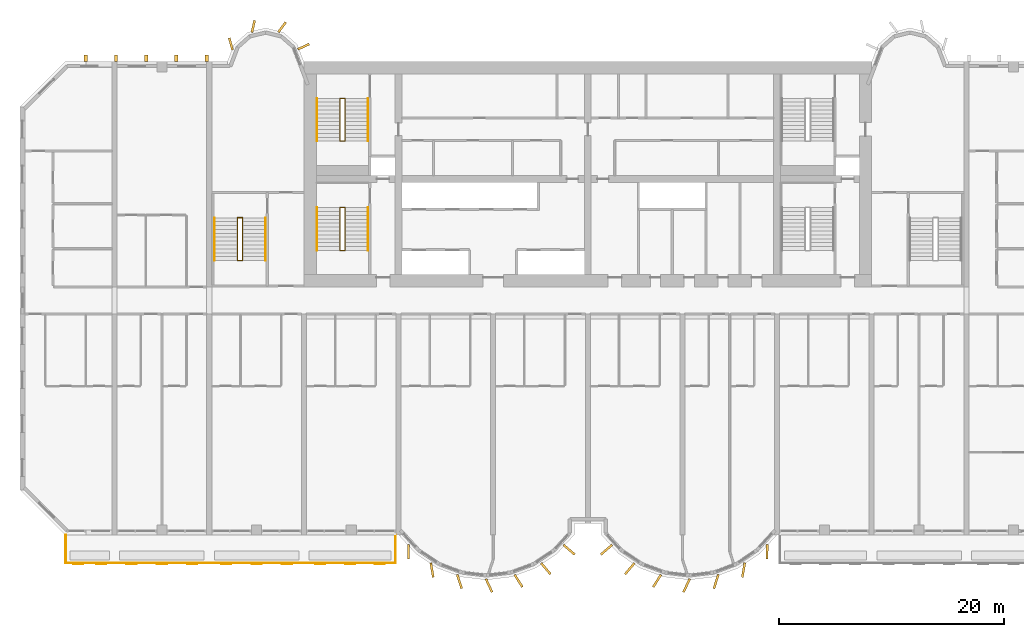
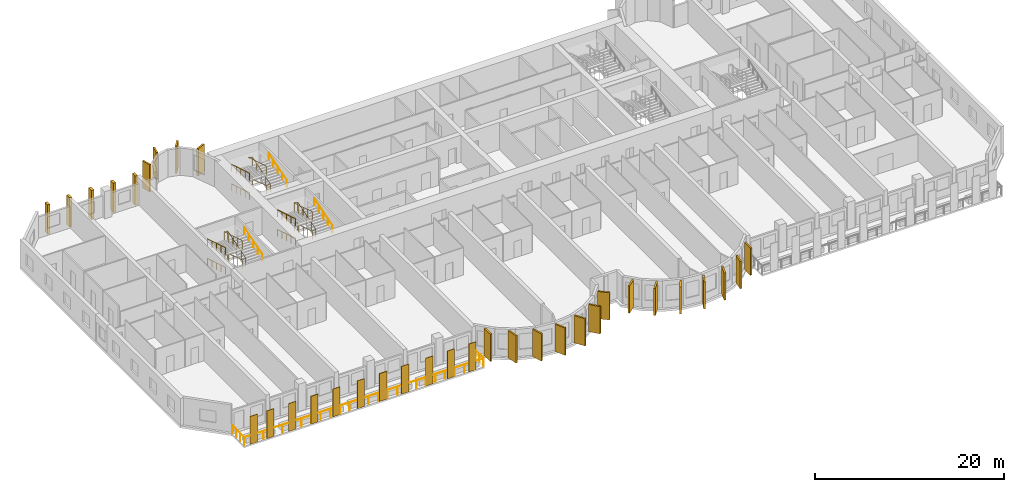
# One storey, part 13 of 15: 34 coverings, 13 railings.
"""IFC4 building model written with IfcOpenShell, lengths in metres."""

from ifc_helpers import new_model, si_unit, direction, frame, origin, origin_2d, place, context, subcontext, project, spatial, rectangle, circle, extrude, source, transform, mapped, material, layer, layer_set, material_profile, profile_set, type_object, element, save


model = new_model("IFC4")

# Units and contexts
model_context = context("Model", 3, precision=1e-05, world=origin(), true_north=direction((0.0, 1.0)))
body_context = subcontext(model_context, "Body", "Model", "MODEL_VIEW")
ifc_project = project(units=[si_unit("LENGTHUNIT", "METRE"), si_unit("AREAUNIT", "SQUARE_METRE"), si_unit("VOLUMEUNIT", "CUBIC_METRE"), si_unit("PLANEANGLEUNIT", "RADIAN"), si_unit("MASSUNIT", "GRAM", prefix="KILO")], contexts=[model_context])

# Site, building, storey
site_placement = place(None, origin())
site = spatial("IfcSite", under=ifc_project, at=site_placement, CompositionType="ELEMENT")
building_placement = place(site_placement, origin())
building = spatial("IfcBuilding", under=site, at=building_placement, Name="Vanashikhar Sky Hotel", CompositionType="ELEMENT")
storey_placement = place(building_placement, frame((0.0, 0.0, 39.199951171875)))
storey = spatial("IfcBuildingStorey", under=building, at=storey_placement, Name="L08", CompositionType="ELEMENT", Elevation=39.199951171875)

# Railing
ifc_material_1 = material(Name="Stainless steel 316", Category="steel")
railing_type_1 = type_object("IfcRailingType", Name="Balcony guard 1100", PredefinedType="GUARDRAIL", material=ifc_material_1)
shared_shape_1 = source(origin(), body_context, "Body", "SweptSolid", [
    extrude(circle(Radius=0.02392578125, at=origin_2d()), frame((0.0, 0.0, 1.076171875), z_axis=(0.0, -1.0, 0.0), x_axis=(1.0, 0.0, 0.0)), (0.0, 0.0, 1.0), 2.5),
    extrude(circle(Radius=0.02392578125, at=origin_2d()), frame((0.0, -2.5, 1.076171875), z_axis=(1.0, 0.0, 0.0), x_axis=(0.0, 1.0, 0.0)), (0.0, 0.0, 1.0), 29.280029296875),
    extrude(circle(Radius=0.02392578125, at=origin_2d()), frame((29.280029296875, -2.5, 1.076171875), z_axis=(0.0, 1.0, 0.0), x_axis=(-1.0, 0.0, 0.0)), (0.0, 0.0, 1.0), 2.5),
    extrude(circle(Radius=0.02099609375, at=origin_2d()), origin(), (0.0, 0.0, 1.0), 1.052001953125),
    extrude(circle(Radius=0.02099609375, at=origin_2d()), frame((0.0, -0.833251953125, 0.0)), (0.0, 0.0, 1.0), 1.052001953125),
    extrude(circle(Radius=0.02099609375, at=origin_2d()), frame((0.0, -1.666748046875, 0.0)), (0.0, 0.0, 1.0), 1.052001953125),
    extrude(circle(Radius=0.02099609375, at=origin_2d()), frame((0.0, -2.5, 0.0)), (0.0, 0.0, 1.0), 1.052001953125),
    extrude(circle(Radius=0.02099609375, at=origin_2d()), frame((1.171142578125, -2.5, 0.0)), (0.0, 0.0, 1.0), 1.052001953125),
    extrude(circle(Radius=0.02099609375, at=origin_2d()), frame((2.34228515625, -2.5, 0.0)), (0.0, 0.0, 1.0), 1.052001953125),
    extrude(circle(Radius=0.02099609375, at=origin_2d()), frame((3.513671875, -2.5, 0.0)), (0.0, 0.0, 1.0), 1.052001953125),
    extrude(circle(Radius=0.02099609375, at=origin_2d()), frame((4.684814453125, -2.5, 0.0)), (0.0, 0.0, 1.0), 1.052001953125),
    extrude(circle(Radius=0.02099609375, at=origin_2d()), frame((5.85595703125, -2.5, 0.0)), (0.0, 0.0, 1.0), 1.052001953125),
    extrude(circle(Radius=0.02099609375, at=origin_2d()), frame((7.027099609375, -2.5, 0.0)), (0.0, 0.0, 1.0), 1.052001953125),
    extrude(circle(Radius=0.02099609375, at=origin_2d()), frame((8.198486328125, -2.5, 0.0)), (0.0, 0.0, 1.0), 1.052001953125),
    extrude(circle(Radius=0.02099609375, at=origin_2d()), frame((9.36962890625, -2.5, 0.0)), (0.0, 0.0, 1.0), 1.052001953125),
    extrude(circle(Radius=0.02099609375, at=origin_2d()), frame((10.540771484375, -2.5, 0.0)), (0.0, 0.0, 1.0), 1.052001953125),
    extrude(circle(Radius=0.02099609375, at=origin_2d()), frame((11.7119140625, -2.5, 0.0)), (0.0, 0.0, 1.0), 1.052001953125),
    extrude(circle(Radius=0.02099609375, at=origin_2d()), frame((12.88330078125, -2.5, 0.0)), (0.0, 0.0, 1.0), 1.052001953125),
    extrude(circle(Radius=0.02099609375, at=origin_2d()), frame((14.054443359375, -2.5, 0.0)), (0.0, 0.0, 1.0), 1.052001953125),
    extrude(circle(Radius=0.02099609375, at=origin_2d()), frame((15.2255859375, -2.5, 0.0)), (0.0, 0.0, 1.0), 1.052001953125),
    extrude(circle(Radius=0.02099609375, at=origin_2d()), frame((16.396728515625, -2.5, 0.0)), (0.0, 0.0, 1.0), 1.052001953125),
    extrude(circle(Radius=0.02099609375, at=origin_2d()), frame((17.568115234375, -2.5, 0.0)), (0.0, 0.0, 1.0), 1.052001953125),
    extrude(circle(Radius=0.02099609375, at=origin_2d()), frame((18.7392578125, -2.5, 0.0)), (0.0, 0.0, 1.0), 1.052001953125),
    extrude(circle(Radius=0.02099609375, at=origin_2d()), frame((19.910400390625, -2.5, 0.0)), (0.0, 0.0, 1.0), 1.052001953125),
    extrude(circle(Radius=0.02099609375, at=origin_2d()), frame((21.08154296875, -2.5, 0.0)), (0.0, 0.0, 1.0), 1.052001953125),
    extrude(circle(Radius=0.02099609375, at=origin_2d()), frame((22.2529296875, -2.5, 0.0)), (0.0, 0.0, 1.0), 1.052001953125),
    extrude(circle(Radius=0.02099609375, at=origin_2d()), frame((23.424072265625, -2.5, 0.0)), (0.0, 0.0, 1.0), 1.052001953125),
    extrude(circle(Radius=0.02099609375, at=origin_2d()), frame((24.59521484375, -2.5, 0.0)), (0.0, 0.0, 1.0), 1.052001953125),
    extrude(circle(Radius=0.02099609375, at=origin_2d()), frame((25.766357421875, -2.5, 0.0)), (0.0, 0.0, 1.0), 1.052001953125),
    extrude(circle(Radius=0.02099609375, at=origin_2d()), frame((26.937744140625, -2.5, 0.0)), (0.0, 0.0, 1.0), 1.052001953125),
    extrude(circle(Radius=0.02099609375, at=origin_2d()), frame((28.10888671875, -2.5, 0.0)), (0.0, 0.0, 1.0), 1.052001953125),
    extrude(circle(Radius=0.02099609375, at=origin_2d()), frame((29.280029296875, -2.5, 0.0)), (0.0, 0.0, 1.0), 1.052001953125),
    extrude(circle(Radius=0.02099609375, at=origin_2d()), frame((29.280029296875, -1.666748046875, 0.0)), (0.0, 0.0, 1.0), 1.052001953125),
    extrude(circle(Radius=0.02099609375, at=origin_2d()), frame((29.280029296875, -0.833251953125, 0.0)), (0.0, 0.0, 1.0), 1.052001953125),
    extrude(circle(Radius=0.02099609375, at=origin_2d()), frame((29.280029296875, 0.0, 0.0)), (0.0, 0.0, 1.0), 1.052001953125),
])
railing_1_placement = place(storey_placement, frame((4.06005859375, 0.0, -0.050048828125)))
element("IfcRailing", 1, at=railing_1_placement, inside=storey, type_object=railing_type_1, Name="Balcony guard", PredefinedType="GUARDRAIL", context=body_context, shape_type="MappedRepresentation", body=[
    mapped(shared_shape_1, transform((0.0, 0.0, 0.0), scale=1.0)),
])

# Coverings
ifc_material_2 = material(Name="Terracotta", Category="masonry")
ifc_layer = layer(ifc_material_2, 0.06005859375)
ifc_layer_set = layer_set([ifc_layer], Name="Terracotta baguette screen")
covering_type_1 = type_object("IfcCoveringType", Name="Terracotta baguette screen", PredefinedType="CLADDING", material=ifc_layer_set)
shared_shape_2 = source(origin(), body_context, "Body", "SweptSolid", [
    extrude(rectangle(XDim=0.89990234375, YDim=0.06005859375, at=origin_2d()), origin(), (0.0, 0.0, 1.0), 3.60009765625),
])
for number, where, z_axis, x_axis, name in (
    (2, (5.175048828125, -2.570068359375, -0.050048828125), (0.0, 0.0, 1.0), (1.0, 0.0, 0.0), "Terracotta screen"),
    (3, (7.22509765625, -2.570068359375, -0.050048828125), (0.0, 0.0, 1.0), (1.0, 0.0, 0.0), "Terracotta screen"),
    (4, (9.89990234375, -2.570068359375, -0.050048828125), (0.0, 0.0, 1.0), (1.0, 0.0, 0.0), "Terracotta screen"),
    (5, (12.60009765625, -2.570068359375, -0.050048828125), (0.0, 0.0, 1.0), (1.0, 0.0, 0.0), "Terracotta screen"),
    (6, (15.300048828125, -2.570068359375, -0.050048828125), (0.0, 0.0, 1.0), (1.0, 0.0, 0.0), "Terracotta screen"),
    (7, (18.300048828125, -2.570068359375, -0.050048828125), (0.0, 0.0, 1.0), (1.0, 0.0, 0.0), "Terracotta screen"),
    (8, (21.0, -2.570068359375, -0.050048828125), (0.0, 0.0, 1.0), (1.0, 0.0, 0.0), "Terracotta screen"),
    (9, (23.699951171875, -2.570068359375, -0.050048828125), (0.0, 0.0, 1.0), (1.0, 0.0, 0.0), "Terracotta screen"),
    (10, (26.666748046875, -2.570068359375, -0.050048828125), (0.0, 0.0, 1.0), (1.0, 0.0, 0.0), "Terracotta screen"),
    (11, (29.300048828125, -2.570068359375, -0.050048828125), (0.0, 0.0, 1.0), (1.0, 0.0, 0.0), "Terracotta screen"),
    (12, (31.933349609375, -2.570068359375, -0.050048828125), (0.0, 0.0, 1.0), (1.0, 0.0, 0.0), "Terracotta screen"),
):
    element("IfcCovering", number, at=place(storey_placement, frame(where, z_axis=z_axis, x_axis=x_axis)), inside=storey, type_object=covering_type_1, Name=name, PredefinedType="CLADDING", context=body_context, shape_type="MappedRepresentation", body=[
        mapped(shared_shape_2, transform((0.0, 0.0, 0.0), scale=1.0)),
    ])
ifc_material_3 = material(Name="Concrete M60 dark", Category="concrete")
ifc_material_profile_1 = material_profile(ifc_material_3, rectangle(XDim=1.300048828125, YDim=0.199951171875, at=origin_2d()))
ifc_profile_set_1 = profile_set([ifc_material_profile_1], Name="Fin 1300 x 200")
covering_type_2 = type_object("IfcCoveringType", Name="Fin 1300 x 200", PredefinedType="CLADDING", material=ifc_profile_set_1)
shared_shape_3 = source(origin(), body_context, "Body", "SweptSolid", [
    extrude(rectangle(XDim=1.300048828125, YDim=0.199951171875, at=origin_2d()), origin(), (0.0, 0.0, 1.0), 3.52001953125),
])
for number, where, z_axis, x_axis, name in (
    (13, (34.482421875, -1.507080078125, 0.0), (0.0, 0.0, 1.0), (0.011588726826, -0.999932848451, 0.0), "Fin F1-1"),
    (14, (36.572509765625, -3.1220703125, 0.0), (0.0, 0.0, 1.0), (0.16989991575, -0.985461322746, 0.0), "Fin F1-2"),
    (15, (39.00830078125, -4.14306640625, 0.0), (0.0, 0.0, 1.0), (0.303966551867, -0.952682704444, 0.0), "Fin F1-3"),
    (16, (41.63232421875, -4.49853515625, 0.0), (0.0, 0.0, 1.0), (0.422618261741, -0.906307787037, 0.0), "Fin F1-4"),
    (17, (44.251953125, -4.083984375, 0.0), (0.0, 0.0, 1.0), (0.534411358496, -0.845224526331, 0.0), "Fin F1-5"),
    (18, (46.676025390625, -3.0, 0.0), (0.0, 0.0, 1.0), (0.645697609467, -0.763593214433, 0.0), "Fin F1-6"),
    (19, (48.7412109375, -1.3154296875, 0.0), (0.0, 0.0, 1.0), (0.758543912032, -0.65162192529, 0.0), "Fin F1-7"),
    (20, (52.058837890625, -1.3154296875, 0.0), (0.0, 0.0, 1.0), (-0.758543912032, -0.65162192529, 0.0), "Fin F2-1"),
    (21, (54.123779296875, -3.0, 0.0), (0.0, 0.0, 1.0), (-0.645697609467, -0.763593214433, 0.0), "Fin F2-2"),
    (22, (56.547119140625, -4.083984375, 0.0), (0.0, 0.0, 1.0), (-0.534411358496, -0.845224526331, 0.0), "Fin F2-3"),
    (23, (59.16748046875, -4.49853515625, 0.0), (0.0, 0.0, 1.0), (-0.422618261741, -0.906307787037, 0.0), "Fin F2-4"),
    (24, (61.790771484375, -4.14306640625, 0.0), (0.0, 0.0, 1.0), (-0.303966551867, -0.952682704444, 0.0), "Fin F2-5"),
    (25, (64.2275390625, -3.1220703125, 0.0), (0.0, 0.0, 1.0), (-0.16989991575, -0.985461322746, 0.0), "Fin F2-6"),
    (26, (66.317626953125, -1.507080078125, 0.0), (0.0, 0.0, 1.0), (-0.011588726826, -0.999932848451, 0.0), "Fin F2-7"),
):
    element("IfcCovering", number, at=place(storey_placement, frame(where, z_axis=z_axis, x_axis=x_axis)), inside=storey, type_object=covering_type_2, Name=name, PredefinedType="CLADDING", context=body_context, shape_type="MappedRepresentation", body=[
        mapped(shared_shape_3, transform((0.0, 0.0, 0.0), scale=1.0)),
    ])
ifc_material_profile_2 = material_profile(ifc_material_3, rectangle(XDim=1.10009765625, YDim=0.199951171875, at=origin_2d()))
ifc_profile_set_2 = profile_set([ifc_material_profile_2], Name="Rear lobe fin 1100 x 200")
covering_type_3 = type_object("IfcCoveringType", Name="Rear lobe fin 1100 x 200", PredefinedType="CLADDING", material=ifc_profile_set_2)
shared_shape_4 = source(origin(), body_context, "Body", "SweptSolid", [
    extrude(rectangle(XDim=1.10009765625, YDim=0.199951171875, at=origin_2d()), origin(), (0.0, 0.0, 1.0), 3.52001953125),
])
for number, where, z_axis, x_axis, name in (
    (27, (18.720703125, 43.580078125, 0.0), (0.0, 0.0, 1.0), (-0.262711264409, 0.964874495234, 0.0), "Fin R1-1"),
    (28, (20.710205078125, 45.1455078125, 0.0), (0.0, 0.0, 1.0), (0.224644935864, 0.974440687159, 0.0), "Fin R1-2"),
    (29, (23.261962890625, 45.06640625, 0.0), (0.0, 0.0, 1.0), (0.602065892195, 0.798446404874, 0.0), "Fin R1-3"),
    (30, (25.169677734375, 43.33447265625, 0.0), (0.0, 0.0, 1.0), (0.908004291068, 0.418960866193, 0.0), "Fin R1-4"),
):
    element("IfcCovering", number, at=place(storey_placement, frame(where, z_axis=z_axis, x_axis=x_axis)), inside=storey, type_object=covering_type_3, Name=name, PredefinedType="CLADDING", context=body_context, shape_type="MappedRepresentation", body=[
        mapped(shared_shape_4, transform((0.0, 0.0, 0.0), scale=1.0)),
    ])
ifc_material_profile_3 = material_profile(ifc_material_3, rectangle(XDim=0.60009765625, YDim=0.300048828125, at=origin_2d()))
ifc_profile_set_3 = profile_set([ifc_material_profile_3], Name="Rear rib 600 x 300")
covering_type_4 = type_object("IfcCoveringType", Name="Rear rib 600 x 300", PredefinedType="CLADDING", material=ifc_profile_set_3)
shared_shape_5 = source(origin(), body_context, "Body", "SweptSolid", [
    extrude(rectangle(XDim=0.60009765625, YDim=0.300048828125, at=origin_2d()), origin(), (0.0, 0.0, 1.0), 3.800048828125),
])
for number, where, z_axis, x_axis, name in (
    (31, (5.840087890625, 42.300048828125, -0.280029296875), (0.0, 0.0, 1.0), (0.0, 1.0, 0.0), "Rear rib"),
    (32, (8.52001953125, 42.300048828125, -0.280029296875), (0.0, 0.0, 1.0), (0.0, 1.0, 0.0), "Rear rib"),
    (33, (11.199951171875, 42.300048828125, -0.280029296875), (0.0, 0.0, 1.0), (0.0, 1.0, 0.0), "Rear rib"),
    (34, (13.8798828125, 42.300048828125, -0.280029296875), (0.0, 0.0, 1.0), (0.0, 1.0, 0.0), "Rear rib"),
    (35, (16.56005859375, 42.300048828125, -0.280029296875), (0.0, 0.0, 1.0), (0.0, 1.0, 0.0), "Rear rib"),
):
    element("IfcCovering", number, at=place(storey_placement, frame(where, z_axis=z_axis, x_axis=x_axis)), inside=storey, type_object=covering_type_4, Name=name, PredefinedType="CLADDING", context=body_context, shape_type="MappedRepresentation", body=[
        mapped(shared_shape_5, transform((0.0, 0.0, 0.0), scale=1.0)),
    ])

# Railings
ifc_material_4 = material(Name="Steel S355", Category="steel")
railing_type_2 = type_object("IfcRailingType", Name="Stair handrail 900", PredefinedType="HANDRAIL", material=ifc_material_4)
shared_shape_6 = source(origin(), body_context, "Body", "SweptSolid", [
    extrude(circle(Radius=0.02392578125, at=origin_2d()), frame((0.0, 0.0, 0.8759765625), z_axis=(0.0, 0.95635109408, 0.292220096591), x_axis=(-1.0, 0.0, 0.0)), (0.0, 0.0, 1.0), 3.973388671875),
    extrude(circle(Radius=0.02099609375, at=origin_2d()), origin(), (0.0, 0.0, 1.0), 0.851806640625),
    extrude(circle(Radius=0.02099609375, at=origin_2d()), frame((0.0, 0.949951171875, 0.290283203125)), (0.0, 0.0, 1.0), 0.851806640625),
    extrude(circle(Radius=0.02099609375, at=origin_2d()), frame((0.0, 1.89990234375, 0.58056640625)), (0.0, 0.0, 1.0), 0.851806640625),
    extrude(circle(Radius=0.02099609375, at=origin_2d()), frame((0.0, 2.85009765625, 0.870849609375)), (0.0, 0.0, 1.0), 0.851806640625),
    extrude(circle(Radius=0.02099609375, at=origin_2d()), frame((0.0, 3.800048828125, 1.1611328125)), (0.0, 0.0, 1.0), 0.851806640625),
])
for number, where, name in (
    (36, (30.89990234375, 25.25, 1.372314453125), "Exit stair 1 handrail"),
    (37, (30.89990234375, 34.949951171875, 1.372314453125), "Exit stair 5 handrail"),
):
    element("IfcRailing", number, at=place(storey_placement, frame(where)), inside=storey, type_object=railing_type_2, Name=name, PredefinedType="HANDRAIL", context=body_context, shape_type="MappedRepresentation", body=[
        mapped(shared_shape_6, transform((0.0, 0.0, 0.0), scale=1.0)),
    ])
shared_shape_7 = source(origin(), body_context, "Body", "SweptSolid", [
    extrude(circle(Radius=0.02392578125, at=origin_2d()), frame((0.0, 0.0, 0.8759765625), z_axis=(0.0, -0.95635109408, 0.292220096591), x_axis=(1.0, 0.0, 0.0)), (0.0, 0.0, 1.0), 3.973388671875),
    extrude(circle(Radius=0.02099609375, at=origin_2d()), origin(), (0.0, 0.0, 1.0), 0.851806640625),
    extrude(circle(Radius=0.02099609375, at=origin_2d()), frame((0.0, -0.949951171875, 0.290283203125)), (0.0, 0.0, 1.0), 0.851806640625),
    extrude(circle(Radius=0.02099609375, at=origin_2d()), frame((0.0, -1.89990234375, 0.58056640625)), (0.0, 0.0, 1.0), 0.851806640625),
    extrude(circle(Radius=0.02099609375, at=origin_2d()), frame((0.0, -2.85009765625, 0.870849609375)), (0.0, 0.0, 1.0), 0.851806640625),
    extrude(circle(Radius=0.02099609375, at=origin_2d()), frame((0.0, -3.800048828125, 1.1611328125)), (0.0, 0.0, 1.0), 0.851806640625),
])
for number, where, name in (
    (38, (26.35009765625, 29.050048828125, 2.638916015625), "Exit stair 1 handrail"),
    (39, (26.35009765625, 38.75, 2.638916015625), "Exit stair 5 handrail"),
):
    element("IfcRailing", number, at=place(storey_placement, frame(where)), inside=storey, type_object=railing_type_2, Name=name, PredefinedType="HANDRAIL", context=body_context, shape_type="MappedRepresentation", body=[
        mapped(shared_shape_7, transform((0.0, 0.0, 0.0), scale=1.0)),
    ])
railing_type_3 = type_object("IfcRailingType", Name="Stair guard 1100", PredefinedType="GUARDRAIL", material=ifc_material_4)
shared_shape_8 = source(origin(), body_context, "Body", "SweptSolid", [
    extrude(circle(Radius=0.02392578125, at=origin_2d()), frame((0.0, 0.0, 1.076171875), z_axis=(-0.973520925263, 0.0, 0.228597917917), x_axis=(0.0, -1.0, 0.0)), (0.0, 0.0, 1.0), 0.46240234375),
    extrude(circle(Radius=0.02392578125, at=origin_2d()), frame((-0.4501953125, 0.0, 1.181640625), z_axis=(0.0, -0.956368263741, 0.292163899395), x_axis=(1.0, 0.0, 0.0)), (0.0, 0.0, 1.0), 3.973388671875),
    extrude(circle(Radius=0.02392578125, at=origin_2d()), frame((-0.4501953125, -3.800048828125, 2.3427734375), z_axis=(0.973520925263, 0.0, 0.228597917917), x_axis=(0.0, 1.0, 0.0)), (0.0, 0.0, 1.0), 0.46240234375),
    extrude(circle(Radius=0.02392578125, at=origin_2d()), frame((0.0, -3.800048828125, 2.4482421875), z_axis=(0.0, 0.95635109408, 0.292220096591), x_axis=(-1.0, 0.0, 0.0)), (0.0, 0.0, 1.0), 3.973388671875),
    extrude(circle(Radius=0.02392578125, at=origin_2d()), frame((0.0, 0.0, 3.609375), z_axis=(-0.973638301096, 0.0, 0.228097476179), x_axis=(0.0, -1.0, 0.0)), (0.0, 0.0, 1.0), 0.46240234375),
    extrude(circle(Radius=0.02392578125, at=origin_2d()), frame((-0.4501953125, 0.0, 3.71484375), z_axis=(0.0, -0.95635109408, 0.292220096591), x_axis=(1.0, 0.0, 0.0)), (0.0, 0.0, 1.0), 3.973388671875),
    extrude(circle(Radius=0.02099609375, at=origin_2d()), origin(), (0.0, 0.0, 1.0), 1.052001953125),
    extrude(circle(Radius=0.02099609375, at=origin_2d()), frame((-0.4501953125, 0.0, 0.105712890625)), (0.0, 0.0, 1.0), 1.052001953125),
    extrude(circle(Radius=0.02099609375, at=origin_2d()), frame((-0.4501953125, -0.949951171875, 0.39599609375)), (0.0, 0.0, 1.0), 1.052001953125),
    extrude(circle(Radius=0.02099609375, at=origin_2d()), frame((-0.4501953125, -1.89990234375, 0.68603515625)), (0.0, 0.0, 1.0), 1.052001953125),
    extrude(circle(Radius=0.02099609375, at=origin_2d()), frame((-0.4501953125, -2.85009765625, 0.976318359375)), (0.0, 0.0, 1.0), 1.052001953125),
    extrude(circle(Radius=0.02099609375, at=origin_2d()), frame((-0.4501953125, -3.800048828125, 1.2666015625)), (0.0, 0.0, 1.0), 1.052001953125),
    extrude(circle(Radius=0.02099609375, at=origin_2d()), frame((0.0, -3.800048828125, 1.372314453125)), (0.0, 0.0, 1.0), 1.052001953125),
    extrude(circle(Radius=0.02099609375, at=origin_2d()), frame((0.0, -2.85009765625, 1.66259765625)), (0.0, 0.0, 1.0), 1.052001953125),
    extrude(circle(Radius=0.02099609375, at=origin_2d()), frame((0.0, -1.89990234375, 1.952880859375)), (0.0, 0.0, 1.0), 1.052001953125),
    extrude(circle(Radius=0.02099609375, at=origin_2d()), frame((0.0, -0.949951171875, 2.2431640625)), (0.0, 0.0, 1.0), 1.052001953125),
    extrude(circle(Radius=0.02099609375, at=origin_2d()), frame((0.0, 0.0, 2.533447265625)), (0.0, 0.0, 1.0), 1.052001953125),
    extrude(circle(Radius=0.02099609375, at=origin_2d()), frame((-0.4501953125, 0.0, 2.638916015625)), (0.0, 0.0, 1.0), 1.052001953125),
    extrude(circle(Radius=0.02099609375, at=origin_2d()), frame((-0.4501953125, -0.949951171875, 2.92919921875)), (0.0, 0.0, 1.0), 1.052001953125),
    extrude(circle(Radius=0.02099609375, at=origin_2d()), frame((-0.4501953125, -1.89990234375, 3.219482421875)), (0.0, 0.0, 1.0), 1.052001953125),
    extrude(circle(Radius=0.02099609375, at=origin_2d()), frame((-0.4501953125, -2.85009765625, 3.509765625)), (0.0, 0.0, 1.0), 1.052001953125),
    extrude(circle(Radius=0.02099609375, at=origin_2d()), frame((-0.4501953125, -3.800048828125, 3.800048828125)), (0.0, 0.0, 1.0), 1.052001953125),
])
for number, where, name in (
    (40, (28.85009765625, 29.050048828125, 0.0), "Exit stair 1 guard"),
    (41, (28.85009765625, 38.75, 0.0), "Exit stair 5 guard"),
):
    element("IfcRailing", number, at=place(storey_placement, frame(where)), inside=storey, type_object=railing_type_3, Name=name, PredefinedType="GUARDRAIL", context=body_context, shape_type="MappedRepresentation", body=[
        mapped(shared_shape_8, transform((0.0, 0.0, 0.0), scale=1.0)),
    ])
shared_shape_9 = source(origin(), body_context, "Body", "SweptSolid", [
    extrude(circle(Radius=0.02392578125, at=origin_2d()), frame((0.0, 0.0, 0.8759765625), z_axis=(0.0, -0.956368263741, 0.292163899395), x_axis=(1.0, 0.0, 0.0)), (0.0, 0.0, 1.0), 3.973388671875),
    extrude(circle(Radius=0.02099609375, at=origin_2d()), origin(), (0.0, 0.0, 1.0), 0.851806640625),
    extrude(circle(Radius=0.02099609375, at=origin_2d()), frame((0.0, -0.949951171875, 0.290283203125)), (0.0, 0.0, 1.0), 0.851806640625),
    extrude(circle(Radius=0.02099609375, at=origin_2d()), frame((0.0, -1.89990234375, 0.58056640625)), (0.0, 0.0, 1.0), 0.851806640625),
    extrude(circle(Radius=0.02099609375, at=origin_2d()), frame((0.0, -2.85009765625, 0.87060546875)), (0.0, 0.0, 1.0), 0.851806640625),
    extrude(circle(Radius=0.02099609375, at=origin_2d()), frame((0.0, -3.800048828125, 1.160888671875)), (0.0, 0.0, 1.0), 0.851806640625),
])
for number, where, name in (
    (42, (26.35009765625, 29.050048828125, 0.105712890625), "Exit stair 1 handrail"),
    (43, (26.35009765625, 38.75, 0.105712890625), "Exit stair 5 handrail"),
):
    element("IfcRailing", number, at=place(storey_placement, frame(where)), inside=storey, type_object=railing_type_2, Name=name, PredefinedType="HANDRAIL", context=body_context, shape_type="MappedRepresentation", body=[
        mapped(shared_shape_9, transform((0.0, 0.0, 0.0), scale=1.0)),
    ])
shared_shape_10 = source(origin(), body_context, "Body", "SweptSolid", [
    extrude(circle(Radius=0.02392578125, at=origin_2d()), frame((0.0, 0.0, 0.8759765625), z_axis=(0.0, 0.956345846891, 0.292237268557), x_axis=(-1.0, 0.0, 0.0)), (0.0, 0.0, 1.0), 3.97314453125),
    extrude(circle(Radius=0.02099609375, at=origin_2d()), origin(), (0.0, 0.0, 1.0), 0.851806640625),
    extrude(circle(Radius=0.02099609375, at=origin_2d()), frame((0.0, 0.949951171875, 0.290283203125)), (0.0, 0.0, 1.0), 0.851806640625),
    extrude(circle(Radius=0.02099609375, at=origin_2d()), frame((0.0, 1.89990234375, 0.58056640625)), (0.0, 0.0, 1.0), 0.851806640625),
    extrude(circle(Radius=0.02099609375, at=origin_2d()), frame((0.0, 2.849853515625, 0.870849609375)), (0.0, 0.0, 1.0), 0.851806640625),
    extrude(circle(Radius=0.02099609375, at=origin_2d()), frame((0.0, 3.7998046875, 1.1611328125)), (0.0, 0.0, 1.0), 0.851806640625),
])
railing_2_placement = place(storey_placement, frame((21.800048828125, 24.35009765625, 1.372314453125)))
element("IfcRailing", 44, at=railing_2_placement, inside=storey, type_object=railing_type_2, Name="Exit stair 3 handrail", PredefinedType="HANDRAIL", context=body_context, shape_type="MappedRepresentation", body=[
    mapped(shared_shape_10, transform((0.0, 0.0, 0.0), scale=1.0)),
])
shared_shape_11 = source(origin(), body_context, "Body", "SweptSolid", [
    extrude(circle(Radius=0.02392578125, at=origin_2d()), frame((0.0, 0.0, 0.8759765625), z_axis=(0.0, -0.956345846891, 0.292237268557), x_axis=(1.0, 0.0, 0.0)), (0.0, 0.0, 1.0), 3.97314453125),
    extrude(circle(Radius=0.02099609375, at=origin_2d()), origin(), (0.0, 0.0, 1.0), 0.851806640625),
    extrude(circle(Radius=0.02099609375, at=origin_2d()), frame((0.0, -0.949951171875, 0.290283203125)), (0.0, 0.0, 1.0), 0.851806640625),
    extrude(circle(Radius=0.02099609375, at=origin_2d()), frame((0.0, -1.89990234375, 0.58056640625)), (0.0, 0.0, 1.0), 0.851806640625),
    extrude(circle(Radius=0.02099609375, at=origin_2d()), frame((0.0, -2.849853515625, 0.870849609375)), (0.0, 0.0, 1.0), 0.851806640625),
    extrude(circle(Radius=0.02099609375, at=origin_2d()), frame((0.0, -3.7998046875, 1.1611328125)), (0.0, 0.0, 1.0), 0.851806640625),
])
railing_3_placement = place(storey_placement, frame((17.25, 28.14990234375, 2.638916015625)))
element("IfcRailing", 45, at=railing_3_placement, inside=storey, type_object=railing_type_2, Name="Exit stair 3 handrail", PredefinedType="HANDRAIL", context=body_context, shape_type="MappedRepresentation", body=[
    mapped(shared_shape_11, transform((0.0, 0.0, 0.0), scale=1.0)),
])
shared_shape_12 = source(origin(), body_context, "Body", "SweptSolid", [
    extrude(circle(Radius=0.02392578125, at=origin_2d()), frame((0.0, 0.0, 1.076171875), z_axis=(-0.973493315427, 0.0, 0.228715466945), x_axis=(0.0, -1.0, 0.0)), (0.0, 0.0, 1.0), 0.462158203125),
    extrude(circle(Radius=0.02392578125, at=origin_2d()), frame((-0.449951171875, 0.0, 1.181640625), z_axis=(0.0, -0.956363018476, 0.292181068675), x_axis=(1.0, 0.0, 0.0)), (0.0, 0.0, 1.0), 3.97314453125),
    extrude(circle(Radius=0.02392578125, at=origin_2d()), frame((-0.449951171875, -3.7998046875, 2.3427734375), z_axis=(0.973493315427, 0.0, 0.228715466945), x_axis=(0.0, 1.0, 0.0)), (0.0, 0.0, 1.0), 0.462158203125),
    extrude(circle(Radius=0.02392578125, at=origin_2d()), frame((0.0, -3.7998046875, 2.4482421875), z_axis=(0.0, 0.956345846891, 0.292237268557), x_axis=(-1.0, 0.0, 0.0)), (0.0, 0.0, 1.0), 3.97314453125),
    extrude(circle(Radius=0.02392578125, at=origin_2d()), frame((0.0, 0.0, 3.609375), z_axis=(-0.973610808694, 0.0, 0.228214796178), x_axis=(0.0, -1.0, 0.0)), (0.0, 0.0, 1.0), 0.462158203125),
    extrude(circle(Radius=0.02392578125, at=origin_2d()), frame((-0.449951171875, 0.0, 3.71484375), z_axis=(0.0, -0.956345846891, 0.292237268557), x_axis=(1.0, 0.0, 0.0)), (0.0, 0.0, 1.0), 3.97314453125),
    extrude(circle(Radius=0.02099609375, at=origin_2d()), origin(), (0.0, 0.0, 1.0), 1.052001953125),
    extrude(circle(Radius=0.02099609375, at=origin_2d()), frame((-0.449951171875, 0.0, 0.105712890625)), (0.0, 0.0, 1.0), 1.052001953125),
    extrude(circle(Radius=0.02099609375, at=origin_2d()), frame((-0.449951171875, -0.949951171875, 0.39599609375)), (0.0, 0.0, 1.0), 1.052001953125),
    extrude(circle(Radius=0.02099609375, at=origin_2d()), frame((-0.449951171875, -1.89990234375, 0.68603515625)), (0.0, 0.0, 1.0), 1.052001953125),
    extrude(circle(Radius=0.02099609375, at=origin_2d()), frame((-0.449951171875, -2.849853515625, 0.976318359375)), (0.0, 0.0, 1.0), 1.052001953125),
    extrude(circle(Radius=0.02099609375, at=origin_2d()), frame((-0.449951171875, -3.7998046875, 1.2666015625)), (0.0, 0.0, 1.0), 1.052001953125),
    extrude(circle(Radius=0.02099609375, at=origin_2d()), frame((0.0, -3.7998046875, 1.372314453125)), (0.0, 0.0, 1.0), 1.052001953125),
    extrude(circle(Radius=0.02099609375, at=origin_2d()), frame((0.0, -2.849853515625, 1.66259765625)), (0.0, 0.0, 1.0), 1.052001953125),
    extrude(circle(Radius=0.02099609375, at=origin_2d()), frame((0.0, -1.89990234375, 1.952880859375)), (0.0, 0.0, 1.0), 1.052001953125),
    extrude(circle(Radius=0.02099609375, at=origin_2d()), frame((0.0, -0.949951171875, 2.2431640625)), (0.0, 0.0, 1.0), 1.052001953125),
    extrude(circle(Radius=0.02099609375, at=origin_2d()), frame((0.0, 0.0, 2.533447265625)), (0.0, 0.0, 1.0), 1.052001953125),
    extrude(circle(Radius=0.02099609375, at=origin_2d()), frame((-0.449951171875, 0.0, 2.638916015625)), (0.0, 0.0, 1.0), 1.052001953125),
    extrude(circle(Radius=0.02099609375, at=origin_2d()), frame((-0.449951171875, -0.949951171875, 2.92919921875)), (0.0, 0.0, 1.0), 1.052001953125),
    extrude(circle(Radius=0.02099609375, at=origin_2d()), frame((-0.449951171875, -1.89990234375, 3.219482421875)), (0.0, 0.0, 1.0), 1.052001953125),
    extrude(circle(Radius=0.02099609375, at=origin_2d()), frame((-0.449951171875, -2.849853515625, 3.509765625)), (0.0, 0.0, 1.0), 1.052001953125),
    extrude(circle(Radius=0.02099609375, at=origin_2d()), frame((-0.449951171875, -3.7998046875, 3.800048828125)), (0.0, 0.0, 1.0), 1.052001953125),
])
railing_4_placement = place(storey_placement, frame((19.75, 28.14990234375, 0.0)))
element("IfcRailing", 46, at=railing_4_placement, inside=storey, type_object=railing_type_3, Name="Exit stair 3 guard", PredefinedType="GUARDRAIL", context=body_context, shape_type="MappedRepresentation", body=[
    mapped(shared_shape_12, transform((0.0, 0.0, 0.0), scale=1.0)),
])
shared_shape_13 = source(origin(), body_context, "Body", "SweptSolid", [
    extrude(circle(Radius=0.02392578125, at=origin_2d()), frame((0.0, 0.0, 0.8759765625), z_axis=(0.0, -0.956363018476, 0.292181068675), x_axis=(1.0, 0.0, 0.0)), (0.0, 0.0, 1.0), 3.97314453125),
    extrude(circle(Radius=0.02099609375, at=origin_2d()), origin(), (0.0, 0.0, 1.0), 0.851806640625),
    extrude(circle(Radius=0.02099609375, at=origin_2d()), frame((0.0, -0.949951171875, 0.290283203125)), (0.0, 0.0, 1.0), 0.851806640625),
    extrude(circle(Radius=0.02099609375, at=origin_2d()), frame((0.0, -1.89990234375, 0.58056640625)), (0.0, 0.0, 1.0), 0.851806640625),
    extrude(circle(Radius=0.02099609375, at=origin_2d()), frame((0.0, -2.849853515625, 0.87060546875)), (0.0, 0.0, 1.0), 0.851806640625),
    extrude(circle(Radius=0.02099609375, at=origin_2d()), frame((0.0, -3.7998046875, 1.160888671875)), (0.0, 0.0, 1.0), 0.851806640625),
])
railing_5_placement = place(storey_placement, frame((17.25, 28.14990234375, 0.105712890625)))
element("IfcRailing", 47, at=railing_5_placement, inside=storey, type_object=railing_type_2, Name="Exit stair 3 handrail", PredefinedType="HANDRAIL", context=body_context, shape_type="MappedRepresentation", body=[
    mapped(shared_shape_13, transform((0.0, 0.0, 0.0), scale=1.0)),
])

save(model, "model.ifc")
